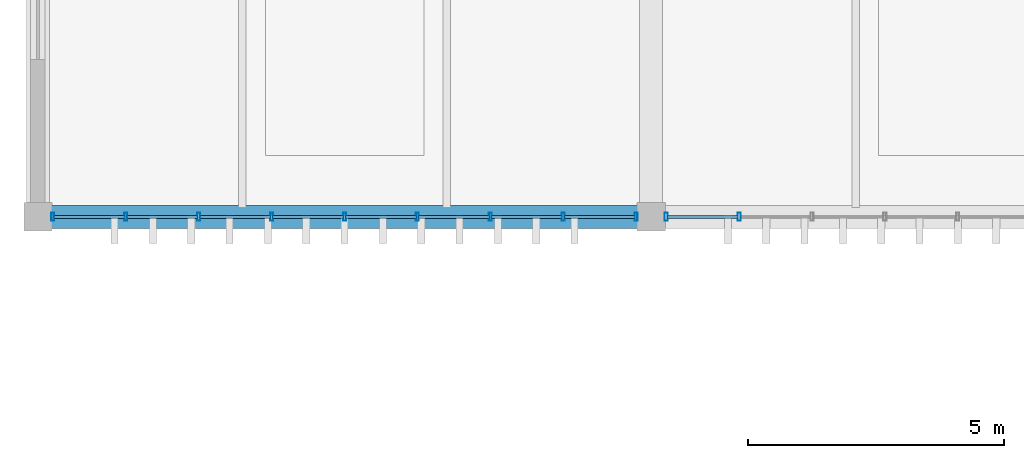
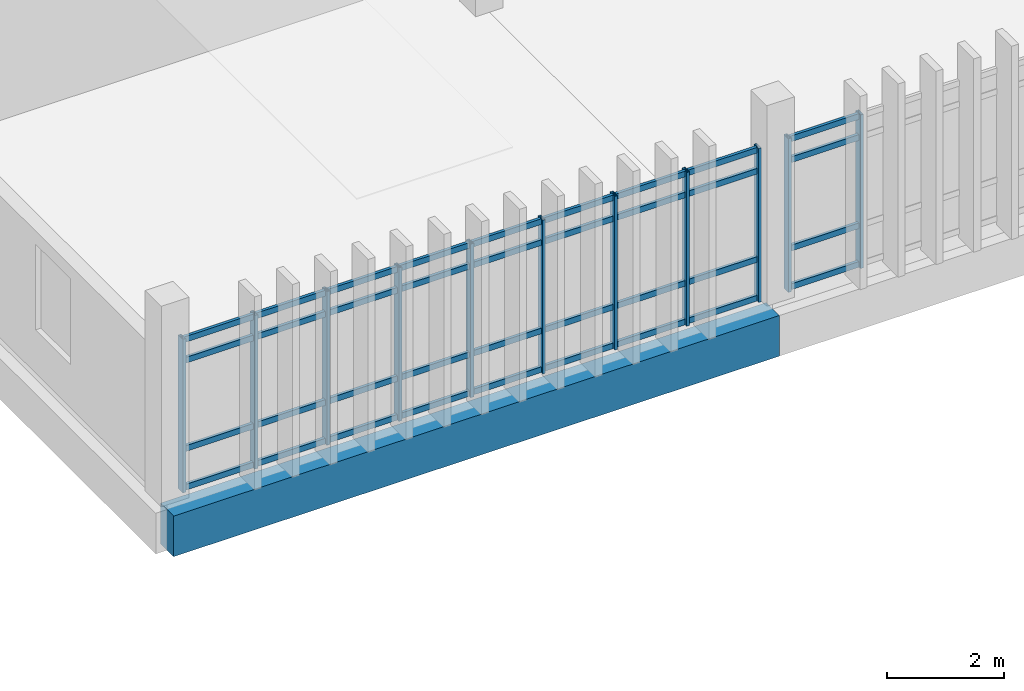
# One storey, part 2 of 29: 47 members, 1 beam, 2 elements without a shape of their own.
"""IFC4 building model written with IfcOpenShell, lengths in metres."""

from ifc_helpers import new_model, si_unit, direction, frame, origin, origin_2d, place, context, subcontext, project, spatial, rectangle, hollow_rectangle, extrude, material, layer, layer_set, material_profile, profile_set, type_object, element, aggregate, save


model = new_model("IFC4")

# Units and contexts
model_context = context("Model", 3, precision=1e-05, world=origin(), true_north=direction((0.0, 1.0)))
body_context = subcontext(model_context, "Body", "Model", "MODEL_VIEW")
ifc_project = project(units=[si_unit("LENGTHUNIT", "METRE"), si_unit("AREAUNIT", "SQUARE_METRE"), si_unit("VOLUMEUNIT", "CUBIC_METRE"), si_unit("PLANEANGLEUNIT", "RADIAN"), si_unit("MASSUNIT", "GRAM", prefix="KILO")], contexts=[model_context])

# Site, building, storey
site_placement = place(None, origin())
site = spatial("IfcSite", under=ifc_project, at=site_placement, CompositionType="ELEMENT")
building_placement = place(site_placement, origin())
building = spatial("IfcBuilding", under=site, at=building_placement, Name="Mersad Railyard Sports Hall", CompositionType="ELEMENT")
storey_placement = place(building_placement, frame((0.0, 0.0, 17.39990234375)))
storey = spatial("IfcBuildingStorey", under=building, at=storey_placement, Name="L04", CompositionType="ELEMENT", Elevation=17.39990234375)

# Curtain wall, members
ifc_material_1 = material(Name="Aluminium 6063-T6", Category="aluminium")
ifc_layer = layer(ifc_material_1, 0.159912109375)
ifc_layer_set = layer_set([ifc_layer], Name="Aluminium 6063-T6")
curtain_wall_type = type_object("IfcCurtainWallType", Name="ARC-CW-CW64", PredefinedType="USERDEFINED", material=ifc_layer_set)
curtain_wall_1_placement = place(storey_placement, origin())
curtain_wall_1 = element("IfcCurtainWall", 1, at=curtain_wall_1_placement, inside=storey, type_object=curtain_wall_type, Name="Curtain wall CW64-0165", ObjectType="CURTAIN WALL", PredefinedType="USERDEFINED")
ifc_material_profile_1 = material_profile(ifc_material_1, hollow_rectangle(XDim=0.06005859375, YDim=0.159912109375, WallThickness=0.00390625, at=origin_2d()), Name="AL MULLION 60x160x4")
ifc_profile_set_1 = profile_set([ifc_material_profile_1], Name="Aluminium 6063-T6")
member_type_1 = type_object("IfcMemberType", Name="ARC-CW-MUL01", PredefinedType="MULLION", material=ifc_profile_set_1)
member_1_placement = place(storey_placement, frame((66.705078125, 85.0, -0.02001953125), z_axis=(0.0, 0.0, 1.0), x_axis=(1.0, 0.0, 0.0)))
member_1 = element("IfcMember", 2, at=member_1_placement, type_object=member_type_1, Name="CW64 Mullion 1", PredefinedType="MULLION", context=body_context, shape_type="SweptSolid", body=[
    extrude(hollow_rectangle(XDim=0.06005859375, YDim=0.159912109375, WallThickness=0.00390625, at=origin_2d()), origin(), (0.0, 0.0, 1.0), 3.22021484375),
])
member_2_placement = place(storey_placement, frame((65.27880859375, 85.0, -0.02001953125), z_axis=(0.0, 0.0, 1.0), x_axis=(1.0, 0.0, 0.0)))
member_2 = element("IfcMember", 3, at=member_2_placement, type_object=member_type_1, Name="CW64 Mullion 2", PredefinedType="MULLION", context=body_context, shape_type="SweptSolid", body=[
    extrude(hollow_rectangle(XDim=0.06005859375, YDim=0.159912109375, WallThickness=0.00390625, at=origin_2d()), origin(), (0.0, 0.0, 1.0), 3.22021484375),
])
member_3_placement = place(storey_placement, frame((63.8525390625, 85.0, -0.02001953125), z_axis=(0.0, 0.0, 1.0), x_axis=(1.0, 0.0, 0.0)))
member_3 = element("IfcMember", 4, at=member_3_placement, type_object=member_type_1, Name="CW64 Mullion 3", PredefinedType="MULLION", context=body_context, shape_type="SweptSolid", body=[
    extrude(hollow_rectangle(XDim=0.06005859375, YDim=0.159912109375, WallThickness=0.00390625, at=origin_2d()), origin(), (0.0, 0.0, 1.0), 3.22021484375),
])
member_4_placement = place(storey_placement, frame((62.42626953125, 85.0, -0.02001953125), z_axis=(0.0, 0.0, 1.0), x_axis=(1.0, 0.0, 0.0)))
member_4 = element("IfcMember", 5, at=member_4_placement, type_object=member_type_1, Name="CW64 Mullion 4", PredefinedType="MULLION", context=body_context, shape_type="SweptSolid", body=[
    extrude(hollow_rectangle(XDim=0.06005859375, YDim=0.159912109375, WallThickness=0.00390625, at=origin_2d()), origin(), (0.0, 0.0, 1.0), 3.22021484375),
])
member_5_placement = place(storey_placement, frame((61.0, 85.0, -0.02001953125), z_axis=(0.0, 0.0, 1.0), x_axis=(1.0, 0.0, 0.0)))
member_5 = element("IfcMember", 6, at=member_5_placement, type_object=member_type_1, Name="CW64 Mullion 5", PredefinedType="MULLION", context=body_context, shape_type="SweptSolid", body=[
    extrude(hollow_rectangle(XDim=0.06005859375, YDim=0.159912109375, WallThickness=0.00390625, at=origin_2d()), origin(), (0.0, 0.0, 1.0), 3.22021484375),
])
member_6_placement = place(storey_placement, frame((59.57373046875, 85.0, -0.02001953125), z_axis=(0.0, 0.0, 1.0), x_axis=(1.0, 0.0, 0.0)))
member_6 = element("IfcMember", 7, at=member_6_placement, type_object=member_type_1, Name="CW64 Mullion 6", PredefinedType="MULLION", context=body_context, shape_type="SweptSolid", body=[
    extrude(hollow_rectangle(XDim=0.06005859375, YDim=0.159912109375, WallThickness=0.00390625, at=origin_2d()), origin(), (0.0, 0.0, 1.0), 3.22021484375),
])
member_7_placement = place(storey_placement, frame((58.1474609375, 85.0, -0.02001953125), z_axis=(0.0, 0.0, 1.0), x_axis=(1.0, 0.0, 0.0)))
member_7 = element("IfcMember", 8, at=member_7_placement, type_object=member_type_1, Name="CW64 Mullion 7", PredefinedType="MULLION", context=body_context, shape_type="SweptSolid", body=[
    extrude(hollow_rectangle(XDim=0.06005859375, YDim=0.159912109375, WallThickness=0.00390625, at=origin_2d()), origin(), (0.0, 0.0, 1.0), 3.22021484375),
])
member_8_placement = place(storey_placement, frame((56.72119140625, 85.0, -0.02001953125), z_axis=(0.0, 0.0, 1.0), x_axis=(1.0, 0.0, 0.0)))
member_8 = element("IfcMember", 9, at=member_8_placement, type_object=member_type_1, Name="CW64 Mullion 8", PredefinedType="MULLION", context=body_context, shape_type="SweptSolid", body=[
    extrude(hollow_rectangle(XDim=0.06005859375, YDim=0.159912109375, WallThickness=0.00390625, at=origin_2d()), origin(), (0.0, 0.0, 1.0), 3.22021484375),
])
member_9_placement = place(storey_placement, frame((55.294921875, 85.0, -0.02001953125), z_axis=(0.0, 0.0, 1.0), x_axis=(1.0, 0.0, 0.0)))
member_9 = element("IfcMember", 10, at=member_9_placement, type_object=member_type_1, Name="CW64 Mullion 9", PredefinedType="MULLION", context=body_context, shape_type="SweptSolid", body=[
    extrude(hollow_rectangle(XDim=0.06005859375, YDim=0.159912109375, WallThickness=0.00390625, at=origin_2d()), origin(), (0.0, 0.0, 1.0), 3.22021484375),
])

curtain_wall_2_placement = place(storey_placement, origin())
curtain_wall_2 = element("IfcCurtainWall", 11, at=curtain_wall_2_placement, inside=storey, type_object=curtain_wall_type, Name="Curtain wall CW64-0166", ObjectType="CURTAIN WALL", PredefinedType="USERDEFINED")
member_10_placement = place(storey_placement, frame((68.72119140625, 85.0, -0.02001953125), z_axis=(0.0, 0.0, 1.0), x_axis=(1.0, 0.0, 0.0)))
member_10 = element("IfcMember", 12, at=member_10_placement, type_object=member_type_1, Name="CW64 Mullion 8", PredefinedType="MULLION", context=body_context, shape_type="SweptSolid", body=[
    extrude(hollow_rectangle(XDim=0.06005859375, YDim=0.159912109375, WallThickness=0.00390625, at=origin_2d()), origin(), (0.0, 0.0, 1.0), 3.22021484375),
])
member_11_placement = place(storey_placement, frame((67.294921875, 85.0, -0.02001953125), z_axis=(0.0, 0.0, 1.0), x_axis=(1.0, 0.0, 0.0)))
member_11 = element("IfcMember", 13, at=member_11_placement, type_object=member_type_1, Name="CW64 Mullion 9", PredefinedType="MULLION", context=body_context, shape_type="SweptSolid", body=[
    extrude(hollow_rectangle(XDim=0.06005859375, YDim=0.159912109375, WallThickness=0.00390625, at=origin_2d()), origin(), (0.0, 0.0, 1.0), 3.22021484375),
])

# Member
ifc_material_profile_2 = material_profile(ifc_material_1, hollow_rectangle(XDim=0.06005859375, YDim=0.1201171875, WallThickness=0.00390625, at=origin_2d()), Name="AL TRANSOM 60x120x4")
ifc_profile_set_2 = profile_set([ifc_material_profile_2], Name="Aluminium 6063-T6")
member_type_2 = type_object("IfcMemberType", Name="ARC-CW-TRN01", PredefinedType="USERDEFINED", material=ifc_profile_set_2)
member_12_placement = place(storey_placement, frame((66.68505859375, 85.0, 0.0400390625), z_axis=(-1.0, 0.0, 0.0), x_axis=(0.0, -1.0, 0.0)))
member_12 = element("IfcMember", 14, at=member_12_placement, type_object=member_type_2, Name="CW64 Transom 1-1", ObjectType="TRANSOM", PredefinedType="USERDEFINED", context=body_context, shape_type="SweptSolid", body=[
    extrude(hollow_rectangle(XDim=0.06005859375, YDim=0.1201171875, WallThickness=0.00390625, at=origin_2d()), origin(), (0.0, 0.0, 1.0), 1.38623046875),
])

member_13_placement = place(storey_placement, frame((65.2587890625, 85.0, 0.0400390625), z_axis=(-1.0, 0.0, 0.0), x_axis=(0.0, -1.0, 0.0)))
member_13 = element("IfcMember", 15, at=member_13_placement, type_object=member_type_2, Name="CW64 Transom 1-2", ObjectType="TRANSOM", PredefinedType="USERDEFINED", context=body_context, shape_type="SweptSolid", body=[
    extrude(hollow_rectangle(XDim=0.06005859375, YDim=0.1201171875, WallThickness=0.00390625, at=origin_2d()), origin(), (0.0, 0.0, 1.0), 1.38623046875),
])

member_14_placement = place(storey_placement, frame((63.83251953125, 85.0, 0.0400390625), z_axis=(-1.0, 0.0, 0.0), x_axis=(0.0, -1.0, 0.0)))
member_14 = element("IfcMember", 16, at=member_14_placement, type_object=member_type_2, Name="CW64 Transom 1-3", ObjectType="TRANSOM", PredefinedType="USERDEFINED", context=body_context, shape_type="SweptSolid", body=[
    extrude(hollow_rectangle(XDim=0.06005859375, YDim=0.1201171875, WallThickness=0.00390625, at=origin_2d()), origin(), (0.0, 0.0, 1.0), 1.38623046875),
])

member_15_placement = place(storey_placement, frame((62.40625, 85.0, 0.0400390625), z_axis=(-1.0, 0.0, 0.0), x_axis=(0.0, -1.0, 0.0)))
member_15 = element("IfcMember", 17, at=member_15_placement, type_object=member_type_2, Name="CW64 Transom 1-4", ObjectType="TRANSOM", PredefinedType="USERDEFINED", context=body_context, shape_type="SweptSolid", body=[
    extrude(hollow_rectangle(XDim=0.06005859375, YDim=0.1201171875, WallThickness=0.00390625, at=origin_2d()), origin(), (0.0, 0.0, 1.0), 1.38623046875),
])

member_16_placement = place(storey_placement, frame((60.97998046875, 85.0, 0.0400390625), z_axis=(-1.0, 0.0, 0.0), x_axis=(0.0, -1.0, 0.0)))
member_16 = element("IfcMember", 18, at=member_16_placement, type_object=member_type_2, Name="CW64 Transom 1-5", ObjectType="TRANSOM", PredefinedType="USERDEFINED", context=body_context, shape_type="SweptSolid", body=[
    extrude(hollow_rectangle(XDim=0.06005859375, YDim=0.1201171875, WallThickness=0.00390625, at=origin_2d()), origin(), (0.0, 0.0, 1.0), 1.38623046875),
])

member_17_placement = place(storey_placement, frame((59.5537109375, 85.0, 0.0400390625), z_axis=(-1.0, 0.0, 0.0), x_axis=(0.0, -1.0, 0.0)))
member_17 = element("IfcMember", 19, at=member_17_placement, type_object=member_type_2, Name="CW64 Transom 1-6", ObjectType="TRANSOM", PredefinedType="USERDEFINED", context=body_context, shape_type="SweptSolid", body=[
    extrude(hollow_rectangle(XDim=0.06005859375, YDim=0.1201171875, WallThickness=0.00390625, at=origin_2d()), origin(), (0.0, 0.0, 1.0), 1.38623046875),
])

member_18_placement = place(storey_placement, frame((58.12744140625, 85.0, 0.0400390625), z_axis=(-1.0, 0.0, 0.0), x_axis=(0.0, -1.0, 0.0)))
member_18 = element("IfcMember", 20, at=member_18_placement, type_object=member_type_2, Name="CW64 Transom 1-7", ObjectType="TRANSOM", PredefinedType="USERDEFINED", context=body_context, shape_type="SweptSolid", body=[
    extrude(hollow_rectangle(XDim=0.06005859375, YDim=0.1201171875, WallThickness=0.00390625, at=origin_2d()), origin(), (0.0, 0.0, 1.0), 1.38623046875),
])

member_19_placement = place(storey_placement, frame((56.701171875, 85.0, 0.0400390625), z_axis=(-1.0, 0.0, 0.0), x_axis=(0.0, -1.0, 0.0)))
member_19 = element("IfcMember", 21, at=member_19_placement, type_object=member_type_2, Name="CW64 Transom 1-8", ObjectType="TRANSOM", PredefinedType="USERDEFINED", context=body_context, shape_type="SweptSolid", body=[
    extrude(hollow_rectangle(XDim=0.06005859375, YDim=0.1201171875, WallThickness=0.00390625, at=origin_2d()), origin(), (0.0, 0.0, 1.0), 1.38623046875),
])

member_20_placement = place(storey_placement, frame((66.68505859375, 85.0, 0.85009765625), z_axis=(-1.0, 0.0, 0.0), x_axis=(0.0, -1.0, 0.0)))
member_20 = element("IfcMember", 22, at=member_20_placement, type_object=member_type_2, Name="CW64 Transom 2-1", ObjectType="TRANSOM", PredefinedType="USERDEFINED", context=body_context, shape_type="SweptSolid", body=[
    extrude(hollow_rectangle(XDim=0.06005859375, YDim=0.1201171875, WallThickness=0.00390625, at=origin_2d()), origin(), (0.0, 0.0, 1.0), 1.38623046875),
])

member_21_placement = place(storey_placement, frame((65.2587890625, 85.0, 0.85009765625), z_axis=(-1.0, 0.0, 0.0), x_axis=(0.0, -1.0, 0.0)))
member_21 = element("IfcMember", 23, at=member_21_placement, type_object=member_type_2, Name="CW64 Transom 2-2", ObjectType="TRANSOM", PredefinedType="USERDEFINED", context=body_context, shape_type="SweptSolid", body=[
    extrude(hollow_rectangle(XDim=0.06005859375, YDim=0.1201171875, WallThickness=0.00390625, at=origin_2d()), origin(), (0.0, 0.0, 1.0), 1.38623046875),
])

member_22_placement = place(storey_placement, frame((63.83251953125, 85.0, 0.85009765625), z_axis=(-1.0, 0.0, 0.0), x_axis=(0.0, -1.0, 0.0)))
member_22 = element("IfcMember", 24, at=member_22_placement, type_object=member_type_2, Name="CW64 Transom 2-3", ObjectType="TRANSOM", PredefinedType="USERDEFINED", context=body_context, shape_type="SweptSolid", body=[
    extrude(hollow_rectangle(XDim=0.06005859375, YDim=0.1201171875, WallThickness=0.00390625, at=origin_2d()), origin(), (0.0, 0.0, 1.0), 1.38623046875),
])

member_23_placement = place(storey_placement, frame((62.40625, 85.0, 0.85009765625), z_axis=(-1.0, 0.0, 0.0), x_axis=(0.0, -1.0, 0.0)))
member_23 = element("IfcMember", 25, at=member_23_placement, type_object=member_type_2, Name="CW64 Transom 2-4", ObjectType="TRANSOM", PredefinedType="USERDEFINED", context=body_context, shape_type="SweptSolid", body=[
    extrude(hollow_rectangle(XDim=0.06005859375, YDim=0.1201171875, WallThickness=0.00390625, at=origin_2d()), origin(), (0.0, 0.0, 1.0), 1.38623046875),
])

member_24_placement = place(storey_placement, frame((60.97998046875, 85.0, 0.85009765625), z_axis=(-1.0, 0.0, 0.0), x_axis=(0.0, -1.0, 0.0)))
member_24 = element("IfcMember", 26, at=member_24_placement, type_object=member_type_2, Name="CW64 Transom 2-5", ObjectType="TRANSOM", PredefinedType="USERDEFINED", context=body_context, shape_type="SweptSolid", body=[
    extrude(hollow_rectangle(XDim=0.06005859375, YDim=0.1201171875, WallThickness=0.00390625, at=origin_2d()), origin(), (0.0, 0.0, 1.0), 1.38623046875),
])

member_25_placement = place(storey_placement, frame((59.5537109375, 85.0, 0.85009765625), z_axis=(-1.0, 0.0, 0.0), x_axis=(0.0, -1.0, 0.0)))
member_25 = element("IfcMember", 27, at=member_25_placement, type_object=member_type_2, Name="CW64 Transom 2-6", ObjectType="TRANSOM", PredefinedType="USERDEFINED", context=body_context, shape_type="SweptSolid", body=[
    extrude(hollow_rectangle(XDim=0.06005859375, YDim=0.1201171875, WallThickness=0.00390625, at=origin_2d()), origin(), (0.0, 0.0, 1.0), 1.38623046875),
])

member_26_placement = place(storey_placement, frame((58.12744140625, 85.0, 0.85009765625), z_axis=(-1.0, 0.0, 0.0), x_axis=(0.0, -1.0, 0.0)))
member_26 = element("IfcMember", 28, at=member_26_placement, type_object=member_type_2, Name="CW64 Transom 2-7", ObjectType="TRANSOM", PredefinedType="USERDEFINED", context=body_context, shape_type="SweptSolid", body=[
    extrude(hollow_rectangle(XDim=0.06005859375, YDim=0.1201171875, WallThickness=0.00390625, at=origin_2d()), origin(), (0.0, 0.0, 1.0), 1.38623046875),
])

member_27_placement = place(storey_placement, frame((56.701171875, 85.0, 0.85009765625), z_axis=(-1.0, 0.0, 0.0), x_axis=(0.0, -1.0, 0.0)))
member_27 = element("IfcMember", 29, at=member_27_placement, type_object=member_type_2, Name="CW64 Transom 2-8", ObjectType="TRANSOM", PredefinedType="USERDEFINED", context=body_context, shape_type="SweptSolid", body=[
    extrude(hollow_rectangle(XDim=0.06005859375, YDim=0.1201171875, WallThickness=0.00390625, at=origin_2d()), origin(), (0.0, 0.0, 1.0), 1.38623046875),
])

member_28_placement = place(storey_placement, frame((66.68505859375, 85.0, 2.7001953125), z_axis=(-1.0, 0.0, 0.0), x_axis=(0.0, -1.0, 0.0)))
member_28 = element("IfcMember", 30, at=member_28_placement, type_object=member_type_2, Name="CW64 Transom 3-1", ObjectType="TRANSOM", PredefinedType="USERDEFINED", context=body_context, shape_type="SweptSolid", body=[
    extrude(hollow_rectangle(XDim=0.06005859375, YDim=0.1201171875, WallThickness=0.00390625, at=origin_2d()), origin(), (0.0, 0.0, 1.0), 1.38623046875),
])

member_29_placement = place(storey_placement, frame((65.2587890625, 85.0, 2.7001953125), z_axis=(-1.0, 0.0, 0.0), x_axis=(0.0, -1.0, 0.0)))
member_29 = element("IfcMember", 31, at=member_29_placement, type_object=member_type_2, Name="CW64 Transom 3-2", ObjectType="TRANSOM", PredefinedType="USERDEFINED", context=body_context, shape_type="SweptSolid", body=[
    extrude(hollow_rectangle(XDim=0.06005859375, YDim=0.1201171875, WallThickness=0.00390625, at=origin_2d()), origin(), (0.0, 0.0, 1.0), 1.38623046875),
])

member_30_placement = place(storey_placement, frame((63.83251953125, 85.0, 2.7001953125), z_axis=(-1.0, 0.0, 0.0), x_axis=(0.0, -1.0, 0.0)))
member_30 = element("IfcMember", 32, at=member_30_placement, type_object=member_type_2, Name="CW64 Transom 3-3", ObjectType="TRANSOM", PredefinedType="USERDEFINED", context=body_context, shape_type="SweptSolid", body=[
    extrude(hollow_rectangle(XDim=0.06005859375, YDim=0.1201171875, WallThickness=0.00390625, at=origin_2d()), origin(), (0.0, 0.0, 1.0), 1.38623046875),
])

member_31_placement = place(storey_placement, frame((62.40625, 85.0, 2.7001953125), z_axis=(-1.0, 0.0, 0.0), x_axis=(0.0, -1.0, 0.0)))
member_31 = element("IfcMember", 33, at=member_31_placement, type_object=member_type_2, Name="CW64 Transom 3-4", ObjectType="TRANSOM", PredefinedType="USERDEFINED", context=body_context, shape_type="SweptSolid", body=[
    extrude(hollow_rectangle(XDim=0.06005859375, YDim=0.1201171875, WallThickness=0.00390625, at=origin_2d()), origin(), (0.0, 0.0, 1.0), 1.38623046875),
])

member_32_placement = place(storey_placement, frame((60.97998046875, 85.0, 2.7001953125), z_axis=(-1.0, 0.0, 0.0), x_axis=(0.0, -1.0, 0.0)))
member_32 = element("IfcMember", 34, at=member_32_placement, type_object=member_type_2, Name="CW64 Transom 3-5", ObjectType="TRANSOM", PredefinedType="USERDEFINED", context=body_context, shape_type="SweptSolid", body=[
    extrude(hollow_rectangle(XDim=0.06005859375, YDim=0.1201171875, WallThickness=0.00390625, at=origin_2d()), origin(), (0.0, 0.0, 1.0), 1.38623046875),
])

member_33_placement = place(storey_placement, frame((59.5537109375, 85.0, 2.7001953125), z_axis=(-1.0, 0.0, 0.0), x_axis=(0.0, -1.0, 0.0)))
member_33 = element("IfcMember", 35, at=member_33_placement, type_object=member_type_2, Name="CW64 Transom 3-6", ObjectType="TRANSOM", PredefinedType="USERDEFINED", context=body_context, shape_type="SweptSolid", body=[
    extrude(hollow_rectangle(XDim=0.06005859375, YDim=0.1201171875, WallThickness=0.00390625, at=origin_2d()), origin(), (0.0, 0.0, 1.0), 1.38623046875),
])

member_34_placement = place(storey_placement, frame((58.12744140625, 85.0, 2.7001953125), z_axis=(-1.0, 0.0, 0.0), x_axis=(0.0, -1.0, 0.0)))
member_34 = element("IfcMember", 36, at=member_34_placement, type_object=member_type_2, Name="CW64 Transom 3-7", ObjectType="TRANSOM", PredefinedType="USERDEFINED", context=body_context, shape_type="SweptSolid", body=[
    extrude(hollow_rectangle(XDim=0.06005859375, YDim=0.1201171875, WallThickness=0.00390625, at=origin_2d()), origin(), (0.0, 0.0, 1.0), 1.38623046875),
])

member_35_placement = place(storey_placement, frame((56.701171875, 85.0, 2.7001953125), z_axis=(-1.0, 0.0, 0.0), x_axis=(0.0, -1.0, 0.0)))
member_35 = element("IfcMember", 37, at=member_35_placement, type_object=member_type_2, Name="CW64 Transom 3-8", ObjectType="TRANSOM", PredefinedType="USERDEFINED", context=body_context, shape_type="SweptSolid", body=[
    extrude(hollow_rectangle(XDim=0.06005859375, YDim=0.1201171875, WallThickness=0.00390625, at=origin_2d()), origin(), (0.0, 0.0, 1.0), 1.38623046875),
])

member_36_placement = place(storey_placement, frame((66.68505859375, 85.0, 3.14013671875), z_axis=(-1.0, 0.0, 0.0), x_axis=(0.0, -1.0, 0.0)))
member_36 = element("IfcMember", 38, at=member_36_placement, type_object=member_type_2, Name="CW64 Transom 4-1", ObjectType="TRANSOM", PredefinedType="USERDEFINED", context=body_context, shape_type="SweptSolid", body=[
    extrude(hollow_rectangle(XDim=0.06005859375, YDim=0.1201171875, WallThickness=0.00390625, at=origin_2d()), origin(), (0.0, 0.0, 1.0), 1.38623046875),
])

member_37_placement = place(storey_placement, frame((65.2587890625, 85.0, 3.14013671875), z_axis=(-1.0, 0.0, 0.0), x_axis=(0.0, -1.0, 0.0)))
member_37 = element("IfcMember", 39, at=member_37_placement, type_object=member_type_2, Name="CW64 Transom 4-2", ObjectType="TRANSOM", PredefinedType="USERDEFINED", context=body_context, shape_type="SweptSolid", body=[
    extrude(hollow_rectangle(XDim=0.06005859375, YDim=0.1201171875, WallThickness=0.00390625, at=origin_2d()), origin(), (0.0, 0.0, 1.0), 1.38623046875),
])

member_38_placement = place(storey_placement, frame((63.83251953125, 85.0, 3.14013671875), z_axis=(-1.0, 0.0, 0.0), x_axis=(0.0, -1.0, 0.0)))
member_38 = element("IfcMember", 40, at=member_38_placement, type_object=member_type_2, Name="CW64 Transom 4-3", ObjectType="TRANSOM", PredefinedType="USERDEFINED", context=body_context, shape_type="SweptSolid", body=[
    extrude(hollow_rectangle(XDim=0.06005859375, YDim=0.1201171875, WallThickness=0.00390625, at=origin_2d()), origin(), (0.0, 0.0, 1.0), 1.38623046875),
])

member_39_placement = place(storey_placement, frame((62.40625, 85.0, 3.14013671875), z_axis=(-1.0, 0.0, 0.0), x_axis=(0.0, -1.0, 0.0)))
member_39 = element("IfcMember", 41, at=member_39_placement, type_object=member_type_2, Name="CW64 Transom 4-4", ObjectType="TRANSOM", PredefinedType="USERDEFINED", context=body_context, shape_type="SweptSolid", body=[
    extrude(hollow_rectangle(XDim=0.06005859375, YDim=0.1201171875, WallThickness=0.00390625, at=origin_2d()), origin(), (0.0, 0.0, 1.0), 1.38623046875),
])

member_40_placement = place(storey_placement, frame((60.97998046875, 85.0, 3.14013671875), z_axis=(-1.0, 0.0, 0.0), x_axis=(0.0, -1.0, 0.0)))
member_40 = element("IfcMember", 42, at=member_40_placement, type_object=member_type_2, Name="CW64 Transom 4-5", ObjectType="TRANSOM", PredefinedType="USERDEFINED", context=body_context, shape_type="SweptSolid", body=[
    extrude(hollow_rectangle(XDim=0.06005859375, YDim=0.1201171875, WallThickness=0.00390625, at=origin_2d()), origin(), (0.0, 0.0, 1.0), 1.38623046875),
])

member_41_placement = place(storey_placement, frame((59.5537109375, 85.0, 3.14013671875), z_axis=(-1.0, 0.0, 0.0), x_axis=(0.0, -1.0, 0.0)))
member_41 = element("IfcMember", 43, at=member_41_placement, type_object=member_type_2, Name="CW64 Transom 4-6", ObjectType="TRANSOM", PredefinedType="USERDEFINED", context=body_context, shape_type="SweptSolid", body=[
    extrude(hollow_rectangle(XDim=0.06005859375, YDim=0.1201171875, WallThickness=0.00390625, at=origin_2d()), origin(), (0.0, 0.0, 1.0), 1.38623046875),
])

member_42_placement = place(storey_placement, frame((58.12744140625, 85.0, 3.14013671875), z_axis=(-1.0, 0.0, 0.0), x_axis=(0.0, -1.0, 0.0)))
member_42 = element("IfcMember", 44, at=member_42_placement, type_object=member_type_2, Name="CW64 Transom 4-7", ObjectType="TRANSOM", PredefinedType="USERDEFINED", context=body_context, shape_type="SweptSolid", body=[
    extrude(hollow_rectangle(XDim=0.06005859375, YDim=0.1201171875, WallThickness=0.00390625, at=origin_2d()), origin(), (0.0, 0.0, 1.0), 1.38623046875),
])

member_43_placement = place(storey_placement, frame((56.701171875, 85.0, 3.14013671875), z_axis=(-1.0, 0.0, 0.0), x_axis=(0.0, -1.0, 0.0)))
member_43 = element("IfcMember", 45, at=member_43_placement, type_object=member_type_2, Name="CW64 Transom 4-8", ObjectType="TRANSOM", PredefinedType="USERDEFINED", context=body_context, shape_type="SweptSolid", body=[
    extrude(hollow_rectangle(XDim=0.06005859375, YDim=0.1201171875, WallThickness=0.00390625, at=origin_2d()), origin(), (0.0, 0.0, 1.0), 1.38623046875),
])

aggregate(curtain_wall_1, [member_1, member_2, member_3, member_4, member_5, member_6, member_7, member_8, member_9, member_12, member_13, member_14, member_15, member_16, member_17, member_18, member_19, member_20, member_21, member_22, member_23, member_24, member_25, member_26, member_27, member_28, member_29, member_30, member_31, member_32, member_33, member_34, member_35, member_36, member_37, member_38, member_39, member_40, member_41, member_42, member_43])

member_44_placement = place(storey_placement, frame((68.701171875, 85.0, 0.0400390625), z_axis=(-1.0, 0.0, 0.0), x_axis=(0.0, -1.0, 0.0)))
member_44 = element("IfcMember", 46, at=member_44_placement, type_object=member_type_2, Name="CW64 Transom 1-8", ObjectType="TRANSOM", PredefinedType="USERDEFINED", context=body_context, shape_type="SweptSolid", body=[
    extrude(hollow_rectangle(XDim=0.06005859375, YDim=0.1201171875, WallThickness=0.00390625, at=origin_2d()), origin(), (0.0, 0.0, 1.0), 1.38623046875),
])

member_45_placement = place(storey_placement, frame((68.701171875, 85.0, 0.85009765625), z_axis=(-1.0, 0.0, 0.0), x_axis=(0.0, -1.0, 0.0)))
member_45 = element("IfcMember", 47, at=member_45_placement, type_object=member_type_2, Name="CW64 Transom 2-8", ObjectType="TRANSOM", PredefinedType="USERDEFINED", context=body_context, shape_type="SweptSolid", body=[
    extrude(hollow_rectangle(XDim=0.06005859375, YDim=0.1201171875, WallThickness=0.00390625, at=origin_2d()), origin(), (0.0, 0.0, 1.0), 1.38623046875),
])

member_46_placement = place(storey_placement, frame((68.701171875, 85.0, 2.7001953125), z_axis=(-1.0, 0.0, 0.0), x_axis=(0.0, -1.0, 0.0)))
member_46 = element("IfcMember", 48, at=member_46_placement, type_object=member_type_2, Name="CW64 Transom 3-8", ObjectType="TRANSOM", PredefinedType="USERDEFINED", context=body_context, shape_type="SweptSolid", body=[
    extrude(hollow_rectangle(XDim=0.06005859375, YDim=0.1201171875, WallThickness=0.00390625, at=origin_2d()), origin(), (0.0, 0.0, 1.0), 1.38623046875),
])

member_47_placement = place(storey_placement, frame((68.701171875, 85.0, 3.14013671875), z_axis=(-1.0, 0.0, 0.0), x_axis=(0.0, -1.0, 0.0)))
member_47 = element("IfcMember", 49, at=member_47_placement, type_object=member_type_2, Name="CW64 Transom 4-8", ObjectType="TRANSOM", PredefinedType="USERDEFINED", context=body_context, shape_type="SweptSolid", body=[
    extrude(hollow_rectangle(XDim=0.06005859375, YDim=0.1201171875, WallThickness=0.00390625, at=origin_2d()), origin(), (0.0, 0.0, 1.0), 1.38623046875),
])

aggregate(curtain_wall_2, [member_10, member_11, member_44, member_45, member_46, member_47])

# Beam
ifc_material_2 = material(Name="Concrete C40/50", Category="concrete")
ifc_material_profile_3 = material_profile(ifc_material_2, rectangle(XDim=0.449951171875, YDim=0.85009765625, at=origin_2d()), Name="RC 450x850")
ifc_profile_set_3 = profile_set([ifc_material_profile_3], Name="Concrete C40/50")
beam_type = type_object("IfcBeamType", Name="STR-BM-B02", PredefinedType="BEAM", material=ifc_profile_set_3)
beam_placement = place(storey_placement, frame((55.0, 85.0, -0.744873046875), z_axis=(1.0, 0.0, 0.0), x_axis=(0.0, 1.0, 0.0)))
element("IfcBeam", 50, at=beam_placement, inside=storey, type_object=beam_type, Name="Beam B02-1314", PredefinedType="BEAM", context=body_context, shape_type="SweptSolid", body=[
    extrude(rectangle(XDim=0.449951171875, YDim=0.85009765625, at=origin_2d()), origin(), (0.0, 0.0, 1.0), 12.0),
])

save(model, "model.ifc")
